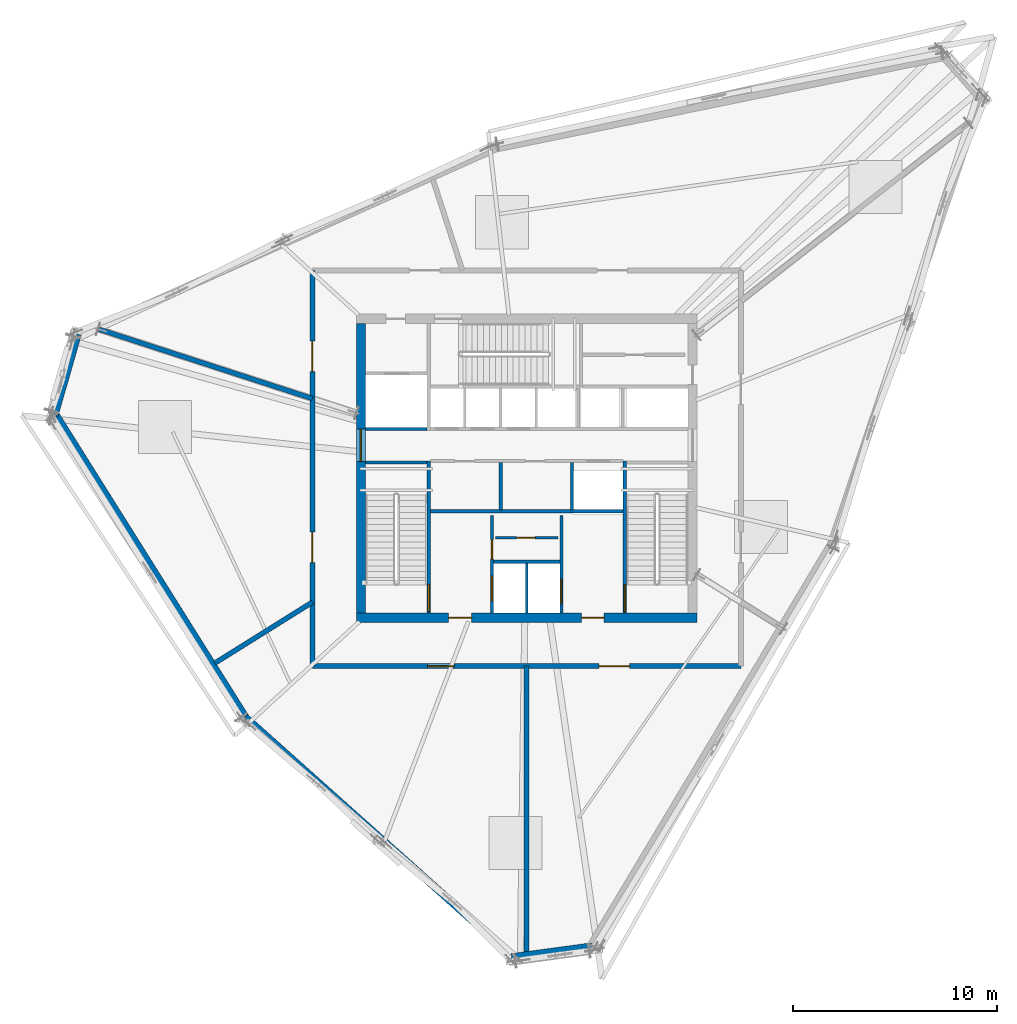
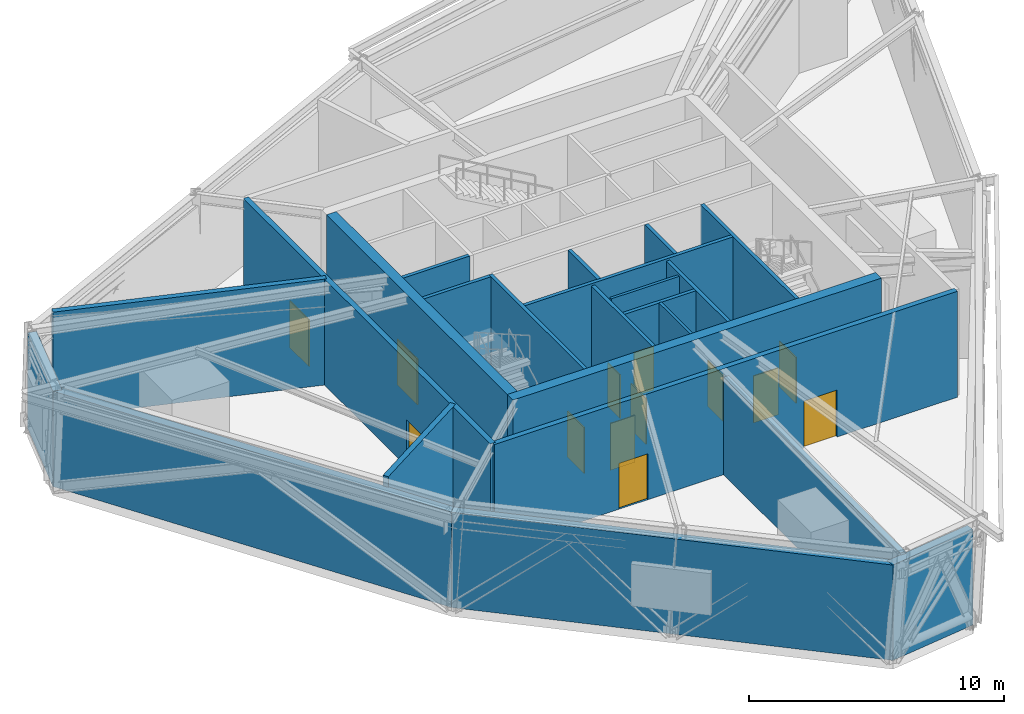
# One storey, part 9 of 15: 23 walls, 13 doors, 13 openings.
"""IFC4 building model written with IfcOpenShell, lengths in metres."""

from ifc_helpers import new_model, si_unit, direction, frame, frame_2d, origin, place, context, subcontext, project, spatial, rectangle, extrude, source, transform, mapped, material, layer, layer_set, type_object, type_shapes, element, fill, save


model = new_model("IFC4")

# Units and contexts
model_context = context("Model", 3, precision=1e-05, world=origin(), true_north=direction((0.0, 1.0)))
body_context = subcontext(model_context, "Body", "Model", "MODEL_VIEW")
ifc_project = project(units=[si_unit("LENGTHUNIT", "METRE"), si_unit("AREAUNIT", "SQUARE_METRE"), si_unit("VOLUMEUNIT", "CUBIC_METRE"), si_unit("PLANEANGLEUNIT", "RADIAN"), si_unit("MASSUNIT", "GRAM", prefix="KILO")], contexts=[model_context])

# Site, building, storey
site_placement = place(None, origin())
site = spatial("IfcSite", under=ifc_project, at=site_placement, CompositionType="ELEMENT")
building_placement = place(site_placement, origin())
building = spatial("IfcBuilding", under=site, at=building_placement, Name="Olszyna Solenne Hotel", CompositionType="ELEMENT")
storey_placement = place(building_placement, frame((0.0, 0.0, 204.300048828125)))
storey = spatial("IfcBuildingStorey", under=building, at=storey_placement, Name="L54", CompositionType="ELEMENT", Elevation=204.300048828125)

# Wall, openings, doors
ifc_material_1 = material(Name="Concrete C50/60", Category="concrete")
ifc_layer_1 = layer(ifc_material_1, 0.449951171875, Name="Concrete C50/60")
ifc_layer_set_1 = layer_set([ifc_layer_1], Name="Concrete C50/60")
wall_type_1 = type_object("IfcWallType", Name="WL-CR450", PredefinedType="SHEAR", material=ifc_layer_set_1)
wall_1_placement = place(storey_placement, frame((46.35009765625, 19.27490234375, 0.0), z_axis=(0.0, 0.0, 1.0), x_axis=(-1.0, 0.0, 0.0)))
wall_1 = element("IfcWall", 1, at=wall_1_placement, inside=storey, type_object=wall_type_1, Name="Core shear wall WL-CR450 CRW-L54-S", PredefinedType="SHEAR", context=body_context, shape_type="SweptSolid", body=[
    extrude(rectangle(XDim=16.7001953125, YDim=0.449951171875, at=frame_2d((8.35009765625, 0.0))), origin(), (0.0, 0.0, 1.0), 5.079833984375),
])
opening_1_placement = place(wall_1_placement, frame((4.550048828125, 0.0, 0.0)))
opening_1 = element("IfcOpeningElement", 2, at=opening_1_placement, cuts=wall_1, Name="Opening FL-L54-1", PredefinedType="OPENING", context=body_context, shape_type="SweptSolid", body=[
    extrude(rectangle(XDim=1.1201171875, YDim=2.25, at=frame_2d((0.56005859375, 1.125))), frame((0.0, 0.23486328125, 0.0), z_axis=(0.0, -1.0, 0.0), x_axis=(1.0, 0.0, 0.0)), (0.0, 0.0, 1.0), 0.469970703125),
])
opening_2_placement = place(wall_1_placement, frame((11.050048828125, 0.0, 0.0)))
opening_2 = element("IfcOpeningElement", 3, at=opening_2_placement, cuts=wall_1, Name="Opening FL-L54-2", PredefinedType="OPENING", context=body_context, shape_type="SweptSolid", body=[
    extrude(rectangle(XDim=1.1201171875, YDim=2.25, at=frame_2d((0.56005859375, 1.125))), frame((0.0, 0.23486328125, 0.0), z_axis=(0.0, -1.0, 0.0), x_axis=(1.0, 0.0, 0.0)), (0.0, 0.0, 1.0), 0.469970703125),
])
ifc_material_2 = material(Name="Steel S355J2", Category="steel")
door_type_1 = type_object("IfcDoorType", Name="DR-FL1", OperationType="NOTDEFINED", PredefinedType="DOOR", material=ifc_material_2)
shared_shape_1 = source(origin(), body_context, "Body", "SweptSolid", [
    extrude(rectangle(XDim=1.1201171875, YDim=2.25, at=frame_2d((0.56005859375, 1.125))), frame((0.0, 0.02490234375, 0.0), z_axis=(0.0, -1.0, 0.0), x_axis=(1.0, 0.0, 0.0)), (0.0, 0.0, 1.0), 0.050048828125),
])
type_shapes(door_type_1, [shared_shape_1])
door_1_placement = place(opening_1_placement, origin())
door_1 = element("IfcDoor", 4, at=door_1_placement, inside=storey, type_object=door_type_1, Name="Firefighting lift lobby smoke door FL-L54-1", OperationType="SINGLE_SWING_LEFT", OverallHeight=2.25, OverallWidth=1.1201171875, PredefinedType="DOOR", context=body_context, shape_type="MappedRepresentation", body=[
    mapped(shared_shape_1, transform((0.0, 0.0, 0.0), x_axis=(1.0, 0.0, 0.0), y_axis=(0.0, 1.0, 0.0), z_axis=(0.0, 0.0, 1.0), scale=1.0)),
])
fill(opening_1, door_1)
door_2_placement = place(opening_2_placement, origin())
door_2 = element("IfcDoor", 5, at=door_2_placement, inside=storey, type_object=door_type_1, Name="Firefighting lift lobby smoke door FL-L54-2", OperationType="SINGLE_SWING_RIGHT", OverallHeight=2.25, OverallWidth=1.1201171875, PredefinedType="DOOR", context=body_context, shape_type="MappedRepresentation", body=[
    mapped(shared_shape_1, transform((0.0, 0.0, 0.0), x_axis=(1.0, 0.0, 0.0), y_axis=(0.0, 1.0, 0.0), z_axis=(0.0, 0.0, 1.0), scale=1.0)),
])
fill(opening_2, door_2)

# Wall, opening, door
wall_2_placement = place(storey_placement, frame((29.875, 19.5, 0.0), z_axis=(0.0, 0.0, 1.0), x_axis=(0.0, 1.0, 0.0)))
wall_2 = element("IfcWall", 6, at=wall_2_placement, inside=storey, type_object=wall_type_1, Name="Core shear wall WL-CR450 CRW-L54-W", PredefinedType="SHEAR", context=body_context, shape_type="SweptSolid", body=[
    extrude(rectangle(XDim=14.199951171875, YDim=0.449951171875, at=frame_2d((7.10009765625, 0.0))), origin(), (0.0, 0.0, 1.0), 5.079833984375),
])
opening_3_placement = place(wall_2_placement, frame((7.419921875, 0.0, 0.0)))
opening_3 = element("IfcOpeningElement", 7, at=opening_3_placement, cuts=wall_2, Name="Opening LHD-L54-W", PredefinedType="OPENING", context=body_context, shape_type="SweptSolid", body=[
    extrude(rectangle(XDim=1.60009765625, YDim=2.199951171875, at=frame_2d((0.800048828125, 1.10009765625))), frame((0.0, 0.23486328125, 0.0), z_axis=(0.0, -1.0, 0.0), x_axis=(1.0, 0.0, 0.0)), (0.0, 0.0, 1.0), 0.469970703125),
])
ifc_material_3 = material(Name="Timber hardwood", Category="wood")
door_type_2 = type_object("IfcDoorType", Name="DR-CR1", OperationType="DOUBLE_DOOR_SINGLE_SWING", PredefinedType="DOOR", material=ifc_material_3)
shared_shape_2 = source(origin(), body_context, "Body", "SweptSolid", [
    extrude(rectangle(XDim=1.60009765625, YDim=2.199951171875, at=frame_2d((0.800048828125, 1.10009765625))), frame((0.0, 0.02490234375, 0.0), z_axis=(0.0, -1.0, 0.0), x_axis=(1.0, 0.0, 0.0)), (0.0, 0.0, 1.0), 0.050048828125),
])
type_shapes(door_type_2, [shared_shape_2])
door_3_placement = place(opening_3_placement, origin())
door_3 = element("IfcDoor", 8, at=door_3_placement, inside=storey, type_object=door_type_2, Name="Passenger lift lobby West fire door LHD-L54-W", OperationType="DOUBLE_DOOR_SINGLE_SWING", OverallHeight=2.199951171875, OverallWidth=1.60009765625, PredefinedType="DOOR", context=body_context, shape_type="MappedRepresentation", body=[
    mapped(shared_shape_2, transform((0.0, 0.0, 0.0), x_axis=(1.0, 0.0, 0.0), y_axis=(0.0, 1.0, 0.0), z_axis=(0.0, 0.0, 1.0), scale=1.0)),
])
fill(opening_3, door_3)

# Walls
ifc_material_4 = material(Name="Terracotta cladding on precast concrete C45/55", Category="masonry")
ifc_layer_2 = layer(ifc_material_4, 0.3798828125, Name="Terracotta cladding on precast concrete C45/55")
ifc_layer_set_2 = layer_set([ifc_layer_2], Name="Terracotta cladding on precast concrete C45/55")
wall_type_2 = type_object("IfcWallType", Name="WL-EX380", PredefinedType="SOLIDWALL", material=ifc_layer_set_2)
wall_3_placement = place(storey_placement, frame((41.208251953125, 3.159423828125, 0.0), z_axis=(0.0, 0.0, 1.0), x_axis=(-0.990987594342, -0.133953678038, 0.0)))
element("IfcWall", 9, at=wall_3_placement, inside=storey, type_object=wall_type_2, Name="Exterior terracotta-precast frame wall WL-EX380 EW-L54-02", PredefinedType="SOLIDWALL", context=body_context, shape_type="SweptSolid", body=[
    extrude(rectangle(XDim=3.984130859375, YDim=0.3798828125, at=frame_2d((1.9921875, 0.0))), origin(), (0.0, 0.0, 1.0), 4.572021484375),
])
for number, where, z_axis, x_axis, name in (
    (10, (37.412109375, 2.5791015625, 0.0), (0.0, 0.0, 1.0), (-0.74550045754, 0.666505114614, 0.0), "Exterior terracotta-precast frame wall WL-EX380 EW-L54-03"),
    (11, (24.2421875, 14.34375, 0.0), (0.0, 0.0, 1.0), (-0.531419317525, 0.847108912101, 0.0), "Exterior terracotta-precast frame wall WL-EX380 EW-L54-04"),
):
    element("IfcWall", number, at=place(storey_placement, frame(where, z_axis=z_axis, x_axis=x_axis)), inside=storey, type_object=wall_type_2, Name=name, PredefinedType="SOLIDWALL", context=body_context, shape_type="SweptSolid", body=[
        extrude(rectangle(XDim=17.712158203125, YDim=0.3798828125, at=frame_2d((8.85595703125, 0.0))), origin(), (0.0, 0.0, 1.0), 4.572021484375),
    ])
wall_4_placement = place(storey_placement, frame((14.85107421875, 29.1943359375, 0.0), z_axis=(0.0, 0.0, 1.0), x_axis=(0.27564088165, 0.961260684915, 0.0)))
element("IfcWall", 12, at=wall_4_placement, inside=storey, type_object=wall_type_2, Name="Exterior terracotta-precast frame wall WL-EX380 EW-L54-05", PredefinedType="SOLIDWALL", context=body_context, shape_type="SweptSolid", body=[
    extrude(rectangle(XDim=4.13623046875, YDim=0.3798828125, at=frame_2d((2.068115234375, 0.0))), origin(), (0.0, 0.0, 1.0), 4.572021484375),
])
ifc_material_5 = material(Name="Acoustic gypsum partition", Category="gypsum")
ifc_layer_3 = layer(ifc_material_5, 0.125, Name="Acoustic gypsum partition")
ifc_layer_set_3 = layer_set([ifc_layer_3], Name="Acoustic gypsum partition")
wall_type_3 = type_object("IfcWallType", Name="WL-PT125", PredefinedType="PARTITIONING", material=ifc_layer_set_3)
wall_5_placement = place(storey_placement, frame((38.0, 19.5, 0.0), z_axis=(0.0, 0.0, 1.0), x_axis=(0.0, 1.0, 0.0)))
element("IfcWall", 13, at=wall_5_placement, inside=storey, type_object=wall_type_3, Name="Core shaft compartment wall CW-L54-FFM", PredefinedType="PARTITIONING", context=body_context, shape_type="SweptSolid", body=[
    extrude(rectangle(XDim=2.4599609375, YDim=0.125, at=frame_2d((1.22998046875, 0.0))), origin(), (0.0, 0.0, 1.0), 5.079833984375),
])

# Wall, opening, door
wall_6_placement = place(storey_placement, frame((36.4599609375, 23.18603515625, 0.0), z_axis=(0.0, 0.0, 1.0), x_axis=(1.0, 0.0, 0.0)))
wall_6 = element("IfcWall", 14, at=wall_6_placement, inside=storey, type_object=wall_type_3, Name="Core shaft compartment wall CW-L54-SC2", PredefinedType="PARTITIONING", context=body_context, shape_type="SweptSolid", body=[
    extrude(rectangle(XDim=3.080078125, YDim=0.125, at=frame_2d((1.5400390625, 0.0))), origin(), (0.0, 0.0, 1.0), 5.079833984375),
])
opening_4_placement = place(wall_6_placement, frame((1.050048828125, 0.0, 0.0)))
opening_4 = element("IfcOpeningElement", 15, at=opening_4_placement, cuts=wall_6, Name="Opening SVD-L54-SC2", PredefinedType="OPENING", context=body_context, shape_type="SweptSolid", body=[
    extrude(rectangle(XDim=0.89990234375, YDim=2.10009765625, at=frame_2d((0.449951171875, 1.050048828125))), frame((0.0, 0.072509765625, 0.0), z_axis=(0.0, -1.0, 0.0), x_axis=(1.0, 0.0, 0.0)), (0.0, 0.0, 1.0), 0.14501953125),
])
door_type_3 = type_object("IfcDoorType", Name="DR-WC1", OperationType="NOTDEFINED", PredefinedType="DOOR", material=ifc_material_3)
shared_shape_3 = source(origin(), body_context, "Body", "SweptSolid", [
    extrude(rectangle(XDim=0.89990234375, YDim=2.10009765625, at=frame_2d((0.449951171875, 1.050048828125))), frame((0.0, 0.02490234375, 0.0), z_axis=(0.0, -1.0, 0.0), x_axis=(1.0, 0.0, 0.0)), (0.0, 0.0, 1.0), 0.050048828125),
])
type_shapes(door_type_3, [shared_shape_3])
door_4_placement = place(opening_4_placement, origin())
door_4 = element("IfcDoor", 16, at=door_4_placement, inside=storey, type_object=door_type_3, Name="Butler pantry door SVD-L54-SC2", OperationType="SINGLE_SWING_RIGHT", OverallHeight=2.10009765625, OverallWidth=0.89990234375, PredefinedType="DOOR", context=body_context, shape_type="MappedRepresentation", body=[
    mapped(shared_shape_3, transform((0.0, 0.0, 0.0), x_axis=(1.0, 0.0, 0.0), y_axis=(0.0, 1.0, 0.0), z_axis=(0.0, 0.0, 1.0), scale=1.0)),
])
fill(opening_4, door_4)

ifc_layer_4 = layer(ifc_material_5, 0.159912109375, Name="Acoustic gypsum partition")
ifc_layer_set_4 = layer_set([ifc_layer_4], Name="Acoustic gypsum partition")
wall_type_4 = type_object("IfcWallType", Name="WL-PT160", PredefinedType="PARTITIONING", material=ifc_layer_set_4)
wall_7_placement = place(storey_placement, frame((33.199951171875, 19.5, 0.0), z_axis=(0.0, 0.0, 1.0), x_axis=(0.0, 1.0, 0.0)))
wall_7 = element("IfcWall", 17, at=wall_7_placement, inside=storey, type_object=wall_type_4, Name="Core shaft compartment wall CW-L54-ST1E", PredefinedType="PARTITIONING", context=body_context, shape_type="SweptSolid", body=[
    extrude(rectangle(XDim=7.4599609375, YDim=0.159912109375, at=frame_2d((3.72998046875, 0.0))), origin(), (0.0, 0.0, 1.0), 5.079833984375),
])
opening_5_placement = place(wall_7_placement, frame((0.080078125, 0.0, 0.0)))
opening_5 = element("IfcOpeningElement", 18, at=opening_5_placement, cuts=wall_7, Name="Opening STD-L54-01", PredefinedType="OPENING", context=body_context, shape_type="SweptSolid", body=[
    extrude(rectangle(XDim=1.320068359375, YDim=2.199951171875, at=frame_2d((0.66015625, 1.10009765625))), frame((0.0, 0.08984375, 0.0), z_axis=(0.0, -1.0, 0.0), x_axis=(1.0, 0.0, 0.0)), (0.0, 0.0, 1.0), 0.179931640625),
])
door_type_4 = type_object("IfcDoorType", Name="DR-ST1", OperationType="NOTDEFINED", PredefinedType="DOOR", material=ifc_material_2)
shared_shape_4 = source(origin(), body_context, "Body", "SweptSolid", [
    extrude(rectangle(XDim=1.320068359375, YDim=2.199951171875, at=frame_2d((0.66015625, 1.10009765625))), frame((0.0, 0.02490234375, 0.0), z_axis=(0.0, -1.0, 0.0), x_axis=(1.0, 0.0, 0.0)), (0.0, 0.0, 1.0), 0.050048828125),
])
type_shapes(door_type_4, [shared_shape_4])
door_5_placement = place(opening_5_placement, origin())
door_5 = element("IfcDoor", 19, at=door_5_placement, inside=storey, type_object=door_type_4, Name="Pressurised exit stair ST1 fire door STD-L54-01", OperationType="SINGLE_SWING_LEFT", OverallHeight=2.199951171875, OverallWidth=1.320068359375, PredefinedType="DOOR", context=body_context, shape_type="MappedRepresentation", body=[
    mapped(shared_shape_4, transform((0.0, 0.0, 0.0), x_axis=(1.0, 0.0, 0.0), y_axis=(0.0, 1.0, 0.0), z_axis=(0.0, 0.0, 1.0), scale=1.0)),
])
fill(opening_5, door_5)

# Wall
wall_8_placement = place(storey_placement, frame((30.10009765625, 26.8798828125, 0.0), z_axis=(0.0, 0.0, 1.0), x_axis=(1.0, 0.0, 0.0)))
element("IfcWall", 20, at=wall_8_placement, inside=storey, type_object=wall_type_4, Name="Core shaft compartment wall CW-L54-ST1N", PredefinedType="PARTITIONING", context=body_context, shape_type="SweptSolid", body=[
    extrude(rectangle(XDim=3.02001953125, YDim=0.159912109375, at=frame_2d((1.510009765625, 0.0))), origin(), (0.0, 0.0, 1.0), 5.079833984375),
])

# Wall, opening, door
wall_9_placement = place(storey_placement, frame((42.800048828125, 26.9599609375, 0.0), z_axis=(0.0, 0.0, 1.0), x_axis=(0.0, -1.0, 0.0)))
wall_9 = element("IfcWall", 21, at=wall_9_placement, inside=storey, type_object=wall_type_4, Name="Core shaft compartment wall CW-L54-ST2W", PredefinedType="PARTITIONING", context=body_context, shape_type="SweptSolid", body=[
    extrude(rectangle(XDim=7.4599609375, YDim=0.159912109375, at=frame_2d((3.72998046875, 0.0))), origin(), (0.0, 0.0, 1.0), 5.079833984375),
])
opening_6_placement = place(wall_9_placement, frame((6.06005859375, 0.0, 0.0)))
opening_6 = element("IfcOpeningElement", 22, at=opening_6_placement, cuts=wall_9, Name="Opening STD-L54-02", PredefinedType="OPENING", context=body_context, shape_type="SweptSolid", body=[
    extrude(rectangle(XDim=1.320068359375, YDim=2.199951171875, at=frame_2d((0.66015625, 1.10009765625))), frame((0.0, 0.08984375, 0.0), z_axis=(0.0, -1.0, 0.0), x_axis=(1.0, 0.0, 0.0)), (0.0, 0.0, 1.0), 0.179931640625),
])
door_6_placement = place(opening_6_placement, origin())
door_6 = element("IfcDoor", 23, at=door_6_placement, inside=storey, type_object=door_type_4, Name="Pressurised exit stair ST2 fire door STD-L54-02", OperationType="SINGLE_SWING_RIGHT", OverallHeight=2.199951171875, OverallWidth=1.320068359375, PredefinedType="DOOR", context=body_context, shape_type="MappedRepresentation", body=[
    mapped(shared_shape_4, transform((0.0, 0.0, 0.0), x_axis=(1.0, 0.0, 0.0), y_axis=(0.0, 1.0, 0.0), z_axis=(0.0, 0.0, 1.0), scale=1.0)),
])
fill(opening_6, door_6)

# Wall, openings, doors
wall_10_placement = place(storey_placement, frame((36.300048828125, 19.5, 0.0), z_axis=(0.0, 0.0, 1.0), x_axis=(0.0, 1.0, 0.0)))
wall_10 = element("IfcWall", 24, at=wall_10_placement, inside=storey, type_object=wall_type_4, Name="Core shaft compartment wall CW-L54-FF1W", PredefinedType="PARTITIONING", context=body_context, shape_type="SweptSolid", body=[
    extrude(rectangle(XDim=4.780029296875, YDim=0.159912109375, at=frame_2d((2.39013671875, 0.0))), origin(), (0.0, 0.0, 1.0), 5.079833984375),
])
opening_7_placement = place(wall_10_placement, frame((0.60009765625, 0.0, 0.0)))
opening_7 = element("IfcOpeningElement", 25, at=opening_7_placement, cuts=wall_10, Name="Opening LD-L54-FF1", PredefinedType="OPENING", context=body_context, shape_type="SweptSolid", body=[
    extrude(rectangle(XDim=1.199951171875, YDim=2.199951171875, at=frame_2d((0.60009765625, 1.10009765625))), frame((0.0, 0.08984375, 0.0), z_axis=(0.0, -1.0, 0.0), x_axis=(1.0, 0.0, 0.0)), (0.0, 0.0, 1.0), 0.179931640625),
])
opening_8_placement = place(wall_10_placement, frame((2.64990234375, 0.0, 0.0)))
opening_8 = element("IfcOpeningElement", 26, at=opening_8_placement, cuts=wall_10, Name="Opening SVD-L54-SMK", PredefinedType="OPENING", context=body_context, shape_type="SweptSolid", body=[
    extrude(rectangle(XDim=0.949951171875, YDim=2.10009765625, at=frame_2d((0.47509765625, 1.050048828125))), frame((0.0, 0.08984375, 0.0), z_axis=(0.0, -1.0, 0.0), x_axis=(1.0, 0.0, 0.0)), (0.0, 0.0, 1.0), 0.179931640625),
])
door_type_5 = type_object("IfcDoorType", Name="DR-SV1", OperationType="NOTDEFINED", PredefinedType="DOOR", material=ifc_material_2)
shared_shape_5 = source(origin(), body_context, "Body", "SweptSolid", [
    extrude(rectangle(XDim=0.949951171875, YDim=2.10009765625, at=frame_2d((0.47509765625, 1.050048828125))), frame((0.0, 0.02490234375, 0.0), z_axis=(0.0, -1.0, 0.0), x_axis=(1.0, 0.0, 0.0)), (0.0, 0.0, 1.0), 0.050048828125),
])
type_shapes(door_type_5, [shared_shape_5])
door_7_placement = place(opening_8_placement, origin())
door_7 = element("IfcDoor", 27, at=door_7_placement, inside=storey, type_object=door_type_5, Name="Valet and core service room door SVD-L54-SMK", OperationType="SINGLE_SWING_LEFT", OverallHeight=2.10009765625, OverallWidth=0.949951171875, PredefinedType="DOOR", context=body_context, shape_type="MappedRepresentation", body=[
    mapped(shared_shape_5, transform((0.0, 0.0, 0.0), x_axis=(1.0, 0.0, 0.0), y_axis=(0.0, 1.0, 0.0), z_axis=(0.0, 0.0, 1.0), scale=1.0)),
])
fill(opening_8, door_7)
door_type_6 = type_object("IfcDoorType", Name="LD-FF1", OperationType="DOUBLE_DOOR_SLIDING", PredefinedType="DOOR", material=ifc_material_2)
shared_shape_6 = source(origin(), body_context, "Body", "SweptSolid", [
    extrude(rectangle(XDim=1.199951171875, YDim=2.199951171875, at=frame_2d((0.60009765625, 1.10009765625))), frame((0.0, 0.02490234375, 0.0), z_axis=(0.0, -1.0, 0.0), x_axis=(1.0, 0.0, 0.0)), (0.0, 0.0, 1.0), 0.050048828125),
])
type_shapes(door_type_6, [shared_shape_6])
door_8_placement = place(opening_7_placement, origin())
door_8 = element("IfcDoor", 28, at=door_8_placement, inside=storey, type_object=door_type_6, Name="Firefighters lift FF1 sliding landing door LD-L54-FF1", OperationType="DOUBLE_DOOR_SLIDING", OverallHeight=2.199951171875, OverallWidth=1.199951171875, PredefinedType="DOOR", context=body_context, shape_type="MappedRepresentation", body=[
    mapped(shared_shape_6, transform((0.0, 0.0, 0.0), x_axis=(1.0, 0.0, 0.0), y_axis=(0.0, 1.0, 0.0), z_axis=(0.0, 0.0, 1.0), scale=1.0)),
])
fill(opening_7, door_8)

# Wall, opening, door
wall_11_placement = place(storey_placement, frame((39.699951171875, 24.280029296875, 0.0), z_axis=(0.0, 0.0, 1.0), x_axis=(0.0, -1.0, 0.0)))
wall_11 = element("IfcWall", 29, at=wall_11_placement, inside=storey, type_object=wall_type_4, Name="Core shaft compartment wall CW-L54-FF2E", PredefinedType="PARTITIONING", context=body_context, shape_type="SweptSolid", body=[
    extrude(rectangle(XDim=4.780029296875, YDim=0.159912109375, at=frame_2d((2.39013671875, 0.0))), origin(), (0.0, 0.0, 1.0), 5.079833984375),
])
opening_9_placement = place(wall_11_placement, frame((3.1201171875, 0.0, 0.0)))
opening_9 = element("IfcOpeningElement", 30, at=opening_9_placement, cuts=wall_11, Name="Opening LD-L54-FF2", PredefinedType="OPENING", context=body_context, shape_type="SweptSolid", body=[
    extrude(rectangle(XDim=1.199951171875, YDim=2.199951171875, at=frame_2d((0.60009765625, 1.10009765625))), frame((0.0, 0.08984375, 0.0), z_axis=(0.0, -1.0, 0.0), x_axis=(1.0, 0.0, 0.0)), (0.0, 0.0, 1.0), 0.179931640625),
])
door_9_placement = place(opening_9_placement, origin())
door_9 = element("IfcDoor", 31, at=door_9_placement, inside=storey, type_object=door_type_6, Name="Firefighters lift FF2 sliding landing door LD-L54-FF2", OperationType="DOUBLE_DOOR_SLIDING", OverallHeight=2.199951171875, OverallWidth=1.199951171875, PredefinedType="DOOR", context=body_context, shape_type="MappedRepresentation", body=[
    mapped(shared_shape_6, transform((0.0, 0.0, 0.0), x_axis=(1.0, 0.0, 0.0), y_axis=(0.0, 1.0, 0.0), z_axis=(0.0, 0.0, 1.0), scale=1.0)),
])
fill(opening_9, door_9)

# Walls
wall_12_placement = place(storey_placement, frame((36.3798828125, 22.02001953125, 0.0), z_axis=(0.0, 0.0, 1.0), x_axis=(1.0, 0.0, 0.0)))
element("IfcWall", 32, at=wall_12_placement, inside=storey, type_object=wall_type_4, Name="Core shaft compartment wall CW-L54-FFN", PredefinedType="PARTITIONING", context=body_context, shape_type="SweptSolid", body=[
    extrude(rectangle(XDim=3.240234375, YDim=0.159912109375, at=frame_2d((1.6201171875, 0.0))), origin(), (0.0, 0.0, 1.0), 5.079833984375),
])
wall_13_placement = place(storey_placement, frame((33.280029296875, 24.489990234375, 0.0), z_axis=(0.0, 0.0, 1.0), x_axis=(1.0, 0.0, 0.0)))
element("IfcWall", 33, at=wall_13_placement, inside=storey, type_object=wall_type_4, Name="Core shaft compartment wall CW-L54-FFBN", PredefinedType="PARTITIONING", context=body_context, shape_type="SweptSolid", body=[
    extrude(rectangle(XDim=9.43994140625, YDim=0.159912109375, at=frame_2d((4.719970703125, 0.0))), origin(), (0.0, 0.0, 1.0), 5.079833984375),
])
wall_14_placement = place(storey_placement, frame((30.10009765625, 28.52001953125, 0.0), z_axis=(0.0, 0.0, 1.0), x_axis=(1.0, 0.0, 0.0)))
element("IfcWall", 34, at=wall_14_placement, inside=storey, type_object=wall_type_4, Name="Core shaft compartment wall CW-L54-SV1S", PredefinedType="PARTITIONING", context=body_context, shape_type="SweptSolid", body=[
    extrude(rectangle(XDim=3.02001953125, YDim=0.159912109375, at=frame_2d((1.510009765625, 0.0))), origin(), (0.0, 0.0, 1.0), 5.079833984375),
])
for number, where, z_axis, x_axis, name in (
    (35, (36.72998046875, 24.56005859375, 0.0), (0.0, 0.0, 1.0), (0.0, 1.0, 0.0), "Core shaft compartment wall CW-L54-LV7DIV1"),
    (36, (40.215087890625, 24.56005859375, 0.0), (0.0, 0.0, 1.0), (0.0, 1.0, 0.0), "Core shaft compartment wall CW-L54-LV7DIV2"),
):
    element("IfcWall", number, at=place(storey_placement, frame(where, z_axis=z_axis, x_axis=x_axis)), inside=storey, type_object=wall_type_4, Name=name, PredefinedType="PARTITIONING", context=body_context, shape_type="SweptSolid", body=[
        extrude(rectangle(XDim=2.31005859375, YDim=0.159912109375, at=frame_2d((1.155029296875, 0.0))), origin(), (0.0, 0.0, 1.0), 5.079833984375),
    ])
ifc_layer_5 = layer(ifc_material_5, 0.239990234375, Name="Acoustic gypsum partition")
ifc_layer_set_5 = layer_set([ifc_layer_5], Name="Acoustic gypsum partition")
wall_type_5 = type_object("IfcWallType", Name="WL-PT240", PredefinedType="PARTITIONING", material=ifc_layer_set_5)
wall_15_placement = place(storey_placement, frame((27.5, 20.038818359375, 0.0), z_axis=(0.0, 0.0, 1.0), x_axis=(-0.848042103881, -0.529928853758, 0.0)))
element("IfcWall", 37, at=wall_15_placement, inside=storey, type_object=wall_type_5, Name="Interior acoustic partition WL-PT240 PW-L54-3034", PredefinedType="PARTITIONING", context=body_context, shape_type="SweptSolid", body=[
    extrude(rectangle(XDim=5.63623046875, YDim=0.239990234375, at=frame_2d((2.818115234375, 0.0))), origin(), (0.0, 0.0, 1.0), 5.079833984375),
])
wall_16_placement = place(storey_placement, frame((38.0, 16.89990234375, 0.0), z_axis=(0.0, 0.0, 1.0), x_axis=(0.0, -1.0, 0.0)))
element("IfcWall", 38, at=wall_16_placement, inside=storey, type_object=wall_type_5, Name="Interior acoustic partition WL-PT240 PW-L54-3035", PredefinedType="PARTITIONING", context=body_context, shape_type="SweptSolid", body=[
    extrude(rectangle(XDim=14.022705078125, YDim=0.239990234375, at=frame_2d((7.01123046875, 0.0))), origin(), (0.0, 0.0, 1.0), 4.675048828125),
])
wall_17_placement = place(storey_placement, frame((27.5, 30.01171875, 0.0), z_axis=(0.0, 0.0, 1.0), x_axis=(-0.951062149422, 0.308999656855, 0.0)))
element("IfcWall", 39, at=wall_17_placement, inside=storey, type_object=wall_type_5, Name="Interior acoustic partition WL-PT240 PW-L54-3039", PredefinedType="PARTITIONING", context=body_context, shape_type="SweptSolid", body=[
    extrude(rectangle(XDim=10.988037109375, YDim=0.239990234375, at=frame_2d((5.494140625, 0.0))), origin(), (0.0, 0.0, 1.0), 5.079833984375),
])

# Wall, openings, doors
wall_18_placement = place(storey_placement, frame((27.5, 16.89990234375, 0.0), z_axis=(0.0, 0.0, 1.0), x_axis=(1.0, 0.0, 0.0)))
wall_18 = element("IfcWall", 40, at=wall_18_placement, inside=storey, type_object=wall_type_5, Name="Interior acoustic partition WL-PT240 PW-L54-3040", PredefinedType="PARTITIONING", context=body_context, shape_type="SweptSolid", body=[
    extrude(rectangle(XDim=21.0, YDim=0.239990234375, at=frame_2d((10.5, 0.0))), origin(), (0.0, 0.0, 1.0), 5.079833984375),
])
opening_10_placement = place(wall_18_placement, frame((5.639892578125, 0.0, 0.0)))
opening_10 = element("IfcOpeningElement", 41, at=opening_10_placement, cuts=wall_18, Name="Opening DR-L54-0736", PredefinedType="OPENING", context=body_context, shape_type="SweptSolid", body=[
    extrude(rectangle(XDim=1.320068359375, YDim=2.199951171875, at=frame_2d((0.66015625, 1.10009765625))), frame((0.0, 0.1298828125, 0.0), z_axis=(0.0, -1.0, 0.0), x_axis=(1.0, 0.0, 0.0)), (0.0, 0.0, 1.0), 0.260009765625),
])
opening_11_placement = place(wall_18_placement, frame((14.0400390625, 0.0, 0.0)))
opening_11 = element("IfcOpeningElement", 42, at=opening_11_placement, cuts=wall_18, Name="Opening DR-L54-0737", PredefinedType="OPENING", context=body_context, shape_type="SweptSolid", body=[
    extrude(rectangle(XDim=1.5, YDim=2.25, at=frame_2d((0.75, 1.125))), frame((0.0, 0.1298828125, 0.0), z_axis=(0.0, -1.0, 0.0), x_axis=(1.0, 0.0, 0.0)), (0.0, 0.0, 1.0), 0.260009765625),
])
door_10_placement = place(opening_10_placement, origin())
door_10 = element("IfcDoor", 43, at=door_10_placement, inside=storey, type_object=door_type_4, Name="Refuge / Plant Fire Door DR-L54-0736", OperationType="SINGLE_SWING_LEFT", OverallHeight=2.199951171875, OverallWidth=1.320068359375, PredefinedType="DOOR", context=body_context, shape_type="MappedRepresentation", body=[
    mapped(shared_shape_4, transform((0.0, 0.0, 0.0), x_axis=(1.0, 0.0, 0.0), y_axis=(0.0, 1.0, 0.0), z_axis=(0.0, 0.0, 1.0), scale=1.0)),
])
fill(opening_10, door_10)
door_type_7 = type_object("IfcDoorType", Name="DR-PL1", OperationType="DOUBLE_DOOR_SINGLE_SWING", PredefinedType="DOOR", material=ifc_material_2)
shared_shape_7 = source(origin(), body_context, "Body", "SweptSolid", [
    extrude(rectangle(XDim=1.5, YDim=2.25, at=frame_2d((0.75, 1.125))), frame((0.0, 0.02490234375, 0.0), z_axis=(0.0, -1.0, 0.0), x_axis=(1.0, 0.0, 0.0)), (0.0, 0.0, 1.0), 0.050048828125),
])
type_shapes(door_type_7, [shared_shape_7])
door_11_placement = place(opening_11_placement, origin())
door_11 = element("IfcDoor", 44, at=door_11_placement, inside=storey, type_object=door_type_7, Name="Refuge / Plant Fire Door DR-L54-0737", OperationType="DOUBLE_DOOR_SINGLE_SWING", OverallHeight=2.25, OverallWidth=1.5, PredefinedType="DOOR", context=body_context, shape_type="MappedRepresentation", body=[
    mapped(shared_shape_7, transform((0.0, 0.0, 0.0), x_axis=(1.0, 0.0, 0.0), y_axis=(0.0, 1.0, 0.0), z_axis=(0.0, 0.0, 1.0), scale=1.0)),
])
fill(opening_11, door_11)

wall_19_placement = place(storey_placement, frame((27.5, 16.89990234375, 0.0), z_axis=(0.0, 0.0, 1.0), x_axis=(0.0, 1.0, 0.0)))
wall_19 = element("IfcWall", 45, at=wall_19_placement, inside=storey, type_object=wall_type_5, Name="Interior acoustic partition WL-PT240 PW-L54-3042", PredefinedType="PARTITIONING", context=body_context, shape_type="SweptSolid", body=[
    extrude(rectangle(XDim=19.400146484375, YDim=0.239990234375, at=frame_2d((9.7001953125, 0.0))), origin(), (0.0, 0.0, 1.0), 5.079833984375),
])
opening_12_placement = place(wall_19_placement, frame((5.070068359375, 0.0, 0.0)))
opening_12 = element("IfcOpeningElement", 46, at=opening_12_placement, cuts=wall_19, Name="Opening DR-L54-0740", PredefinedType="OPENING", context=body_context, shape_type="SweptSolid", body=[
    extrude(rectangle(XDim=1.5, YDim=2.25, at=frame_2d((0.75, 1.125))), frame((0.0, 0.1298828125, 0.0), z_axis=(0.0, -1.0, 0.0), x_axis=(1.0, 0.0, 0.0)), (0.0, 0.0, 1.0), 0.260009765625),
])
opening_13_placement = place(wall_19_placement, frame((14.429931640625, 0.0, 0.0)))
opening_13 = element("IfcOpeningElement", 47, at=opening_13_placement, cuts=wall_19, Name="Opening DR-L54-0741", PredefinedType="OPENING", context=body_context, shape_type="SweptSolid", body=[
    extrude(rectangle(XDim=1.5, YDim=2.25, at=frame_2d((0.75, 1.125))), frame((0.0, 0.1298828125, 0.0), z_axis=(0.0, -1.0, 0.0), x_axis=(1.0, 0.0, 0.0)), (0.0, 0.0, 1.0), 0.260009765625),
])
door_12_placement = place(opening_12_placement, origin())
door_12 = element("IfcDoor", 48, at=door_12_placement, inside=storey, type_object=door_type_7, Name="Refuge / Plant Fire Door DR-L54-0740", OperationType="DOUBLE_DOOR_SINGLE_SWING", OverallHeight=2.25, OverallWidth=1.5, PredefinedType="DOOR", context=body_context, shape_type="MappedRepresentation", body=[
    mapped(shared_shape_7, transform((0.0, 0.0, 0.0), x_axis=(1.0, 0.0, 0.0), y_axis=(0.0, 1.0, 0.0), z_axis=(0.0, 0.0, 1.0), scale=1.0)),
])
fill(opening_12, door_12)
door_13_placement = place(opening_13_placement, origin())
door_13 = element("IfcDoor", 49, at=door_13_placement, inside=storey, type_object=door_type_7, Name="Refuge / Plant Fire Door DR-L54-0741", OperationType="DOUBLE_DOOR_SINGLE_SWING", OverallHeight=2.25, OverallWidth=1.5, PredefinedType="DOOR", context=body_context, shape_type="MappedRepresentation", body=[
    mapped(shared_shape_7, transform((0.0, 0.0, 0.0), x_axis=(1.0, 0.0, 0.0), y_axis=(0.0, 1.0, 0.0), z_axis=(0.0, 0.0, 1.0), scale=1.0)),
])
fill(opening_13, door_13)

save(model, "model.ifc")
